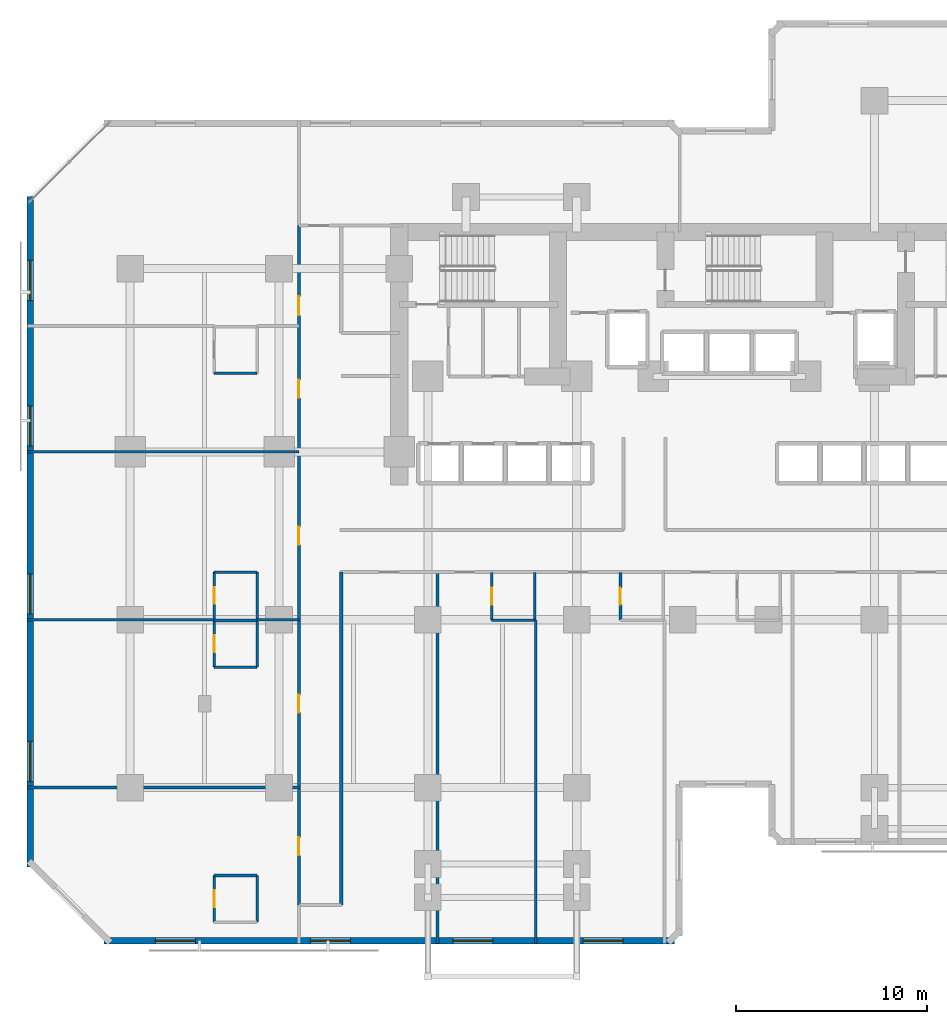
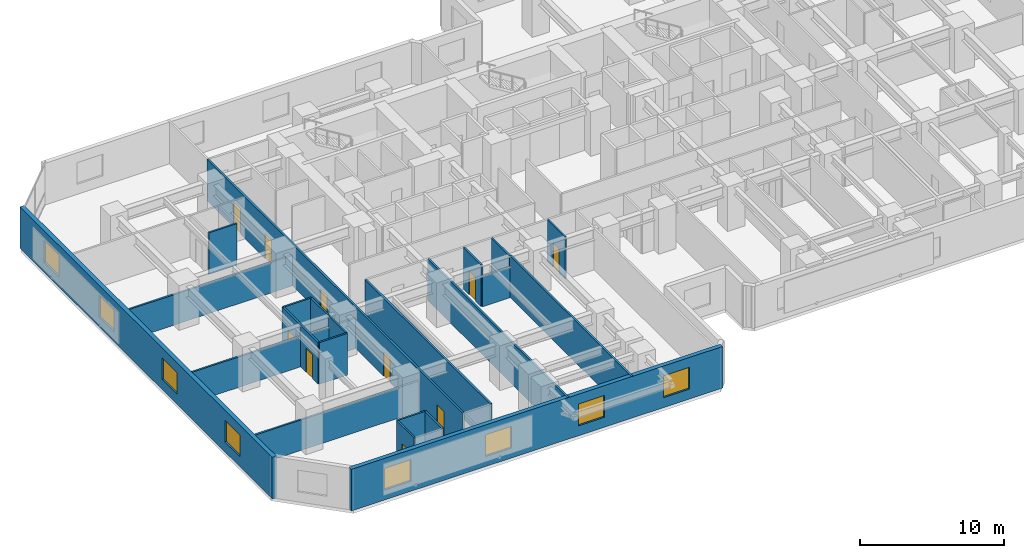
# One storey, part 5 of 12: 25 walls, 10 doors, 8 windows, 18 openings.
"""IFC4 building model written with IfcOpenShell, lengths in metres."""

from ifc_helpers import new_model, si_unit, direction, frame, frame_2d, origin, place, context, subcontext, project, spatial, rectangle, extrude, material, layer, layer_set, type_object, element, fill, save


model = new_model("IFC4")

# Units and contexts
model_context = context("Model", 3, precision=1e-05, world=origin(), true_north=direction((0.0, 1.0)))
body_context = subcontext(model_context, "Body", "Model", "MODEL_VIEW")
ifc_project = project(units=[si_unit("LENGTHUNIT", "METRE"), si_unit("AREAUNIT", "SQUARE_METRE"), si_unit("VOLUMEUNIT", "CUBIC_METRE"), si_unit("PLANEANGLEUNIT", "RADIAN"), si_unit("MASSUNIT", "GRAM", prefix="KILO")], contexts=[model_context])

# Site, building, storey
site_placement = place(None, origin())
site = spatial("IfcSite", under=ifc_project, at=site_placement, CompositionType="ELEMENT")
building_placement = place(site_placement, origin())
building = spatial("IfcBuilding", under=site, at=building_placement, Name="Kestravale Grand Hotel", CompositionType="ELEMENT")
storey_placement = place(building_placement, frame((0.0, 0.0, 26.0)))
storey = spatial("IfcBuildingStorey", under=building, at=storey_placement, Name="L05", CompositionType="ELEMENT", Elevation=26.0)

# Wall, openings, windows
ifc_material_1 = material(Name="Precast concrete f'c 45 MPa", Category="concrete")
ifc_layer_1 = layer(ifc_material_1, 0.340087890625)
ifc_layer_set_1 = layer_set([ifc_layer_1], Name="EW-PREC-340")
wall_type_1 = type_object("IfcWallType", Name="EW-PREC-340", PredefinedType="SOLIDWALL", material=ifc_layer_set_1)
wall_1_placement = place(storey_placement, frame((6.429931640625, 3.169921875, 0.0), z_axis=(0.0, 0.0, 1.0), x_axis=(1.0, 0.0, 0.0)))
wall_1 = element("IfcWall", 1, at=wall_1_placement, inside=storey, type_object=wall_type_1, Name="L05 fluted precast facade wall 1", PredefinedType="SOLIDWALL", context=body_context, shape_type="SweptSolid", body=[
    extrude(rectangle(XDim=29.89013671875, YDim=0.340087890625, at=frame_2d((14.945068359375, 0.0))), origin(), (0.0, 0.0, 1.0), 3.5400390625),
])
opening_1_placement = place(wall_1_placement, frame((2.686279296875, 0.0, 0.85009765625)))
opening_1 = element("IfcOpeningElement", 2, at=opening_1_placement, cuts=wall_1, Name="Opening W-GUEST-2100", PredefinedType="OPENING", context=body_context, shape_type="SweptSolid", body=[
    extrude(rectangle(XDim=2.10009765625, YDim=1.85009765625, at=frame_2d((1.050048828125, 0.925048828125))), frame((0.0, 0.179931640625, 0.0), z_axis=(0.0, -1.0, 0.0), x_axis=(1.0, 0.0, 0.0)), (0.0, 0.0, 1.0), 0.360107421875),
])
opening_2_placement = place(wall_1_placement, frame((10.80859375, 0.0, 0.85009765625)))
opening_2 = element("IfcOpeningElement", 3, at=opening_2_placement, cuts=wall_1, Name="Opening W-GUEST-2100", PredefinedType="OPENING", context=body_context, shape_type="SweptSolid", body=[
    extrude(rectangle(XDim=2.10009765625, YDim=1.85009765625, at=frame_2d((1.050048828125, 0.925048828125))), frame((0.0, 0.179931640625, 0.0), z_axis=(0.0, -1.0, 0.0), x_axis=(1.0, 0.0, 0.0)), (0.0, 0.0, 1.0), 0.360107421875),
])
opening_3_placement = place(wall_1_placement, frame((18.28125, 0.0, 0.85009765625)))
opening_3 = element("IfcOpeningElement", 4, at=opening_3_placement, cuts=wall_1, Name="Opening W-GUEST-2100", PredefinedType="OPENING", context=body_context, shape_type="SweptSolid", body=[
    extrude(rectangle(XDim=2.10009765625, YDim=1.85009765625, at=frame_2d((1.050048828125, 0.925048828125))), frame((0.0, 0.179931640625, 0.0), z_axis=(0.0, -1.0, 0.0), x_axis=(1.0, 0.0, 0.0)), (0.0, 0.0, 1.0), 0.360107421875),
])
opening_4_placement = place(wall_1_placement, frame((25.103759765625, 0.0, 0.85009765625)))
opening_4 = element("IfcOpeningElement", 5, at=opening_4_placement, cuts=wall_1, Name="Opening W-GUEST-2100", PredefinedType="OPENING", context=body_context, shape_type="SweptSolid", body=[
    extrude(rectangle(XDim=2.10009765625, YDim=1.85009765625, at=frame_2d((1.050048828125, 0.925048828125))), frame((0.0, 0.179931640625, 0.0), z_axis=(0.0, -1.0, 0.0), x_axis=(1.0, 0.0, 0.0)), (0.0, 0.0, 1.0), 0.360107421875),
])
ifc_material_2 = material(Name="Insulated low-E double glazing in aluminium frame", Category="aluminium")
window_type = type_object("IfcWindowType", Name="W-GUEST-2100", PartitioningType="DOUBLE_PANEL_VERTICAL", PredefinedType="WINDOW", material=ifc_material_2)
window_1_placement = place(opening_1_placement, origin())
window_1 = element("IfcWindow", 6, at=window_1_placement, inside=storey, type_object=window_type, Name="L05 exterior window 1.1", OverallHeight=1.85009765625, OverallWidth=2.10009765625, PartitioningType="SINGLE_PANEL", PredefinedType="WINDOW", context=body_context, shape_type="SweptSolid", body=[
    extrude(rectangle(XDim=2.10009765625, YDim=1.85009765625, at=frame_2d((1.050048828125, 0.925048828125))), frame((0.0, 0.030029296875, 0.0), z_axis=(0.0, -1.0, 0.0), x_axis=(1.0, 0.0, 0.0)), (0.0, 0.0, 1.0), 0.06005859375),
])
fill(opening_1, window_1)
window_2_placement = place(opening_2_placement, origin())
window_2 = element("IfcWindow", 7, at=window_2_placement, inside=storey, type_object=window_type, Name="L05 exterior window 1.2", OverallHeight=1.85009765625, OverallWidth=2.10009765625, PartitioningType="SINGLE_PANEL", PredefinedType="WINDOW", context=body_context, shape_type="SweptSolid", body=[
    extrude(rectangle(XDim=2.10009765625, YDim=1.85009765625, at=frame_2d((1.050048828125, 0.925048828125))), frame((0.0, 0.030029296875, 0.0), z_axis=(0.0, -1.0, 0.0), x_axis=(1.0, 0.0, 0.0)), (0.0, 0.0, 1.0), 0.06005859375),
])
fill(opening_2, window_2)
window_3_placement = place(opening_3_placement, origin())
window_3 = element("IfcWindow", 8, at=window_3_placement, inside=storey, type_object=window_type, Name="L05 exterior window 1.3", OverallHeight=1.85009765625, OverallWidth=2.10009765625, PartitioningType="SINGLE_PANEL", PredefinedType="WINDOW", context=body_context, shape_type="SweptSolid", body=[
    extrude(rectangle(XDim=2.10009765625, YDim=1.85009765625, at=frame_2d((1.050048828125, 0.925048828125))), frame((0.0, 0.030029296875, 0.0), z_axis=(0.0, -1.0, 0.0), x_axis=(1.0, 0.0, 0.0)), (0.0, 0.0, 1.0), 0.06005859375),
])
fill(opening_3, window_3)
window_4_placement = place(opening_4_placement, origin())
window_4 = element("IfcWindow", 9, at=window_4_placement, inside=storey, type_object=window_type, Name="L05 exterior window 1.4", OverallHeight=1.85009765625, OverallWidth=2.10009765625, PartitioningType="SINGLE_PANEL", PredefinedType="WINDOW", context=body_context, shape_type="SweptSolid", body=[
    extrude(rectangle(XDim=2.10009765625, YDim=1.85009765625, at=frame_2d((1.050048828125, 0.925048828125))), frame((0.0, 0.030029296875, 0.0), z_axis=(0.0, -1.0, 0.0), x_axis=(1.0, 0.0, 0.0)), (0.0, 0.0, 1.0), 0.06005859375),
])
fill(opening_4, window_4)

wall_2_placement = place(storey_placement, frame((2.570068359375, 42.169921875, 0.0), z_axis=(0.0, 0.0, 1.0), x_axis=(0.0, -1.0, 0.0)))
wall_2 = element("IfcWall", 10, at=wall_2_placement, inside=storey, type_object=wall_type_1, Name="L05 fluted precast facade wall 19", PredefinedType="SOLIDWALL", context=body_context, shape_type="SweptSolid", body=[
    extrude(rectangle(XDim=35.139892578125, YDim=0.340087890625, at=frame_2d((17.56982421875, 0.0))), origin(), (0.0, 0.0, 1.0), 3.5400390625),
])
opening_5_placement = place(wall_2_placement, frame((3.342529296875, 0.0, 0.85009765625)))
opening_5 = element("IfcOpeningElement", 11, at=opening_5_placement, cuts=wall_2, Name="Opening W-GUEST-2100", PredefinedType="OPENING", context=body_context, shape_type="SweptSolid", body=[
    extrude(rectangle(XDim=2.10009765625, YDim=1.85009765625, at=frame_2d((1.050048828125, 0.925048828125))), frame((0.0, 0.179931640625, 0.0), z_axis=(0.0, -1.0, 0.0), x_axis=(1.0, 0.0, 0.0)), (0.0, 0.0, 1.0), 0.360107421875),
])
opening_6_placement = place(wall_2_placement, frame((10.9775390625, 0.0, 0.85009765625)))
opening_6 = element("IfcOpeningElement", 12, at=opening_6_placement, cuts=wall_2, Name="Opening W-GUEST-2100", PredefinedType="OPENING", context=body_context, shape_type="SweptSolid", body=[
    extrude(rectangle(XDim=2.10009765625, YDim=1.85009765625, at=frame_2d((1.050048828125, 0.925048828125))), frame((0.0, 0.179931640625, 0.0), z_axis=(0.0, -1.0, 0.0), x_axis=(1.0, 0.0, 0.0)), (0.0, 0.0, 1.0), 0.360107421875),
])
opening_7_placement = place(wall_2_placement, frame((19.762451171875, 0.0, 0.85009765625)))
opening_7 = element("IfcOpeningElement", 13, at=opening_7_placement, cuts=wall_2, Name="Opening W-GUEST-2100", PredefinedType="OPENING", context=body_context, shape_type="SweptSolid", body=[
    extrude(rectangle(XDim=2.10009765625, YDim=1.85009765625, at=frame_2d((1.050048828125, 0.925048828125))), frame((0.0, 0.179931640625, 0.0), z_axis=(0.0, -1.0, 0.0), x_axis=(1.0, 0.0, 0.0)), (0.0, 0.0, 1.0), 0.360107421875),
])
opening_8_placement = place(wall_2_placement, frame((28.547607421875, 0.0, 0.85009765625)))
opening_8 = element("IfcOpeningElement", 14, at=opening_8_placement, cuts=wall_2, Name="Opening W-GUEST-2100", PredefinedType="OPENING", context=body_context, shape_type="SweptSolid", body=[
    extrude(rectangle(XDim=2.10009765625, YDim=1.85009765625, at=frame_2d((1.050048828125, 0.925048828125))), frame((0.0, 0.179931640625, 0.0), z_axis=(0.0, -1.0, 0.0), x_axis=(1.0, 0.0, 0.0)), (0.0, 0.0, 1.0), 0.360107421875),
])
window_5_placement = place(opening_5_placement, origin())
window_5 = element("IfcWindow", 15, at=window_5_placement, inside=storey, type_object=window_type, Name="L05 exterior window 19.1", OverallHeight=1.85009765625, OverallWidth=2.10009765625, PartitioningType="SINGLE_PANEL", PredefinedType="WINDOW", context=body_context, shape_type="SweptSolid", body=[
    extrude(rectangle(XDim=2.10009765625, YDim=1.85009765625, at=frame_2d((1.050048828125, 0.925048828125))), frame((0.0, 0.030029296875, 0.0), z_axis=(0.0, -1.0, 0.0), x_axis=(1.0, 0.0, 0.0)), (0.0, 0.0, 1.0), 0.06005859375),
])
fill(opening_5, window_5)
window_6_placement = place(opening_6_placement, origin())
window_6 = element("IfcWindow", 16, at=window_6_placement, inside=storey, type_object=window_type, Name="L05 exterior window 19.2", OverallHeight=1.85009765625, OverallWidth=2.10009765625, PartitioningType="SINGLE_PANEL", PredefinedType="WINDOW", context=body_context, shape_type="SweptSolid", body=[
    extrude(rectangle(XDim=2.10009765625, YDim=1.85009765625, at=frame_2d((1.050048828125, 0.925048828125))), frame((0.0, 0.030029296875, 0.0), z_axis=(0.0, -1.0, 0.0), x_axis=(1.0, 0.0, 0.0)), (0.0, 0.0, 1.0), 0.06005859375),
])
fill(opening_6, window_6)
window_7_placement = place(opening_7_placement, origin())
window_7 = element("IfcWindow", 17, at=window_7_placement, inside=storey, type_object=window_type, Name="L05 exterior window 19.3", OverallHeight=1.85009765625, OverallWidth=2.10009765625, PartitioningType="SINGLE_PANEL", PredefinedType="WINDOW", context=body_context, shape_type="SweptSolid", body=[
    extrude(rectangle(XDim=2.10009765625, YDim=1.85009765625, at=frame_2d((1.050048828125, 0.925048828125))), frame((0.0, 0.030029296875, 0.0), z_axis=(0.0, -1.0, 0.0), x_axis=(1.0, 0.0, 0.0)), (0.0, 0.0, 1.0), 0.06005859375),
])
fill(opening_7, window_7)
window_8_placement = place(opening_8_placement, origin())
window_8 = element("IfcWindow", 18, at=window_8_placement, inside=storey, type_object=window_type, Name="L05 exterior window 19.4", OverallHeight=1.85009765625, OverallWidth=2.10009765625, PartitioningType="SINGLE_PANEL", PredefinedType="WINDOW", context=body_context, shape_type="SweptSolid", body=[
    extrude(rectangle(XDim=2.10009765625, YDim=1.85009765625, at=frame_2d((1.050048828125, 0.925048828125))), frame((0.0, 0.030029296875, 0.0), z_axis=(0.0, -1.0, 0.0), x_axis=(1.0, 0.0, 0.0)), (0.0, 0.0, 1.0), 0.06005859375),
])
fill(opening_8, window_8)

# Wall, openings, doors
ifc_material_3 = material(Name="Acoustic fire-rated gypsum board partition", Category="other")
ifc_layer_2 = layer(ifc_material_3, 0.159912109375)
ifc_layer_set_2 = layer_set([ifc_layer_2], Name="IW-CORR-160")
wall_type_2 = type_object("IfcWallType", Name="IW-CORR-160", PredefinedType="PARTITIONING", material=ifc_layer_set_2)
wall_3_placement = place(storey_placement, frame((16.639892578125, 5.050048828125, 0.0), z_axis=(0.0, 0.0, 1.0), x_axis=(0.0, 1.0, 0.0)))
wall_3 = element("IfcWall", 19, at=wall_3_placement, inside=storey, type_object=wall_type_2, Name="W-L05-SW-W", PredefinedType="PARTITIONING", context=body_context, shape_type="SweptSolid", body=[
    extrude(rectangle(XDim=35.599853515625, YDim=0.159912109375, at=frame_2d((17.7998046875, 0.0))), origin(), (0.0, 0.0, 1.0), 3.5400390625),
])
opening_9_placement = place(wall_3_placement, frame((2.60009765625, 0.0, 0.0)))
opening_9 = element("IfcOpeningElement", 20, at=opening_9_placement, cuts=wall_3, Name="Opening D-GUEST-950", PredefinedType="OPENING", context=body_context, shape_type="SweptSolid", body=[
    extrude(rectangle(XDim=0.949951171875, YDim=2.10009765625, at=frame_2d((0.47509765625, 1.050048828125))), frame((0.0, 0.08984375, 0.0), z_axis=(0.0, -1.0, 0.0), x_axis=(1.0, 0.0, 0.0)), (0.0, 0.0, 1.0), 0.179931640625),
])
opening_10_placement = place(wall_3_placement, frame((10.074951171875, 0.0, 0.0)))
opening_10 = element("IfcOpeningElement", 21, at=opening_10_placement, cuts=wall_3, Name="Opening D-GUEST-950", PredefinedType="OPENING", context=body_context, shape_type="SweptSolid", body=[
    extrude(rectangle(XDim=0.949951171875, YDim=2.10009765625, at=frame_2d((0.47509765625, 1.050048828125))), frame((0.0, 0.08984375, 0.0), z_axis=(0.0, -1.0, 0.0), x_axis=(1.0, 0.0, 0.0)), (0.0, 0.0, 1.0), 0.179931640625),
])
opening_11_placement = place(wall_3_placement, frame((18.875, 0.0, 0.0)))
opening_11 = element("IfcOpeningElement", 22, at=opening_11_placement, cuts=wall_3, Name="Opening D-GUEST-950", PredefinedType="OPENING", context=body_context, shape_type="SweptSolid", body=[
    extrude(rectangle(XDim=0.949951171875, YDim=2.10009765625, at=frame_2d((0.47509765625, 1.050048828125))), frame((0.0, 0.08984375, 0.0), z_axis=(0.0, -1.0, 0.0), x_axis=(1.0, 0.0, 0.0)), (0.0, 0.0, 1.0), 0.179931640625),
])
opening_12_placement = place(wall_3_placement, frame((26.574951171875, 0.0, 0.0)))
opening_12 = element("IfcOpeningElement", 23, at=opening_12_placement, cuts=wall_3, Name="Opening D-GUEST-950", PredefinedType="OPENING", context=body_context, shape_type="SweptSolid", body=[
    extrude(rectangle(XDim=0.949951171875, YDim=2.10009765625, at=frame_2d((0.47509765625, 1.050048828125))), frame((0.0, 0.08984375, 0.0), z_axis=(0.0, -1.0, 0.0), x_axis=(1.0, 0.0, 0.0)), (0.0, 0.0, 1.0), 0.179931640625),
])
opening_13_placement = place(wall_3_placement, frame((30.89990234375, 0.0, 0.0)))
opening_13 = element("IfcOpeningElement", 24, at=opening_13_placement, cuts=wall_3, Name="Opening D-GUEST-1000", PredefinedType="OPENING", context=body_context, shape_type="SweptSolid", body=[
    extrude(rectangle(XDim=1.0, YDim=2.14990234375, at=frame_2d((0.5, 1.074951171875))), frame((0.0, 0.08984375, 0.0), z_axis=(0.0, -1.0, 0.0), x_axis=(1.0, 0.0, 0.0)), (0.0, 0.0, 1.0), 0.179931640625),
])
ifc_material_4 = material(Name="Accessible walnut veneer hotel entrance fire door", Category="wood")
door_type_1 = type_object("IfcDoorType", Name="D-GUEST-1000", OperationType="NOTDEFINED", PredefinedType="DOOR", material=ifc_material_4)
door_1_placement = place(opening_13_placement, origin())
door_1 = element("IfcDoor", 25, at=door_1_placement, inside=storey, type_object=door_type_1, Name="D-L05-AMWW", OperationType="SINGLE_SWING_LEFT", OverallHeight=2.14990234375, OverallWidth=1.0, PredefinedType="DOOR", context=body_context, shape_type="SweptSolid", body=[
    extrude(rectangle(XDim=1.0, YDim=2.14990234375, at=frame_2d((0.5, 1.074951171875))), frame((0.0, 0.02490234375, 0.0), z_axis=(0.0, -1.0, 0.0), x_axis=(1.0, 0.0, 0.0)), (0.0, 0.0, 1.0), 0.050048828125),
])
fill(opening_13, door_1)
ifc_material_5 = material(Name="Walnut veneer hotel guestroom entrance fire door", Category="wood")
door_type_2 = type_object("IfcDoorType", Name="D-GUEST-950", OperationType="NOTDEFINED", PredefinedType="DOOR", material=ifc_material_5)
door_2_placement = place(opening_9_placement, origin())
door_2 = element("IfcDoor", 26, at=door_2_placement, inside=storey, type_object=door_type_2, Name="D-L05-U06-ENT", OperationType="SINGLE_SWING_RIGHT", OverallHeight=2.10009765625, OverallWidth=0.949951171875, PredefinedType="DOOR", context=body_context, shape_type="SweptSolid", body=[
    extrude(rectangle(XDim=0.949951171875, YDim=2.10009765625, at=frame_2d((0.47509765625, 1.050048828125))), frame((0.0, 0.02490234375, 0.0), z_axis=(0.0, -1.0, 0.0), x_axis=(1.0, 0.0, 0.0)), (0.0, 0.0, 1.0), 0.050048828125),
])
fill(opening_9, door_2)
door_3_placement = place(opening_10_placement, origin())
door_3 = element("IfcDoor", 27, at=door_3_placement, inside=storey, type_object=door_type_2, Name="D-L05-U07-ENT", OperationType="SINGLE_SWING_RIGHT", OverallHeight=2.10009765625, OverallWidth=0.949951171875, PredefinedType="DOOR", context=body_context, shape_type="SweptSolid", body=[
    extrude(rectangle(XDim=0.949951171875, YDim=2.10009765625, at=frame_2d((0.47509765625, 1.050048828125))), frame((0.0, 0.02490234375, 0.0), z_axis=(0.0, -1.0, 0.0), x_axis=(1.0, 0.0, 0.0)), (0.0, 0.0, 1.0), 0.050048828125),
])
fill(opening_10, door_3)
door_4_placement = place(opening_11_placement, origin())
door_4 = element("IfcDoor", 28, at=door_4_placement, inside=storey, type_object=door_type_2, Name="D-L05-U08-ENT", OperationType="SINGLE_SWING_RIGHT", OverallHeight=2.10009765625, OverallWidth=0.949951171875, PredefinedType="DOOR", context=body_context, shape_type="SweptSolid", body=[
    extrude(rectangle(XDim=0.949951171875, YDim=2.10009765625, at=frame_2d((0.47509765625, 1.050048828125))), frame((0.0, 0.02490234375, 0.0), z_axis=(0.0, -1.0, 0.0), x_axis=(1.0, 0.0, 0.0)), (0.0, 0.0, 1.0), 0.050048828125),
])
fill(opening_11, door_4)
door_5_placement = place(opening_12_placement, origin())
door_5 = element("IfcDoor", 29, at=door_5_placement, inside=storey, type_object=door_type_2, Name="D-L05-U09-ENT", OperationType="SINGLE_SWING_RIGHT", OverallHeight=2.10009765625, OverallWidth=0.949951171875, PredefinedType="DOOR", context=body_context, shape_type="SweptSolid", body=[
    extrude(rectangle(XDim=0.949951171875, YDim=2.10009765625, at=frame_2d((0.47509765625, 1.050048828125))), frame((0.0, 0.02490234375, 0.0), z_axis=(0.0, -1.0, 0.0), x_axis=(1.0, 0.0, 0.0)), (0.0, 0.0, 1.0), 0.050048828125),
])
fill(opening_12, door_5)

# Wall
wall_4_placement = place(storey_placement, frame((18.860107421875, 5.050048828125, 0.0), z_axis=(0.0, 0.0, 1.0), x_axis=(0.0, 1.0, 0.0)))
element("IfcWall", 30, at=wall_4_placement, inside=storey, type_object=wall_type_2, Name="W-L05-SW-E", PredefinedType="PARTITIONING", context=body_context, shape_type="SweptSolid", body=[
    extrude(rectangle(XDim=17.43994140625, YDim=0.159912109375, at=frame_2d((8.719970703125, 0.0))), origin(), (0.0, 0.0, 1.0), 3.5400390625),
])

# Wall, opening, door
ifc_material_6 = material(Name="Moisture-resistant tile-backer plumbing chase wall", Category="other")
ifc_layer_3 = layer(ifc_material_6, 0.139892578125)
ifc_layer_set_3 = layer_set([ifc_layer_3], Name="IW-PLB-140")
wall_type_3 = type_object("IfcWallType", Name="IW-PLB-140", PredefinedType="PLUMBINGWALL", material=ifc_layer_set_3)
wall_5_placement = place(storey_placement, frame((26.743408203125, 19.97998046875, 0.0), z_axis=(0.0, 0.0, 1.0), x_axis=(0.0, 1.0, 0.0)))
wall_5 = element("IfcWall", 31, at=wall_5_placement, inside=storey, type_object=wall_type_3, Name="W-L05-U01-BW", PredefinedType="PLUMBINGWALL", context=body_context, shape_type="SweptSolid", body=[
    extrude(rectangle(XDim=2.489990234375, YDim=0.139892578125, at=frame_2d((1.2451171875, 0.0))), origin(), (0.0, 0.0, 1.0), 3.5400390625),
])
opening_14_placement = place(wall_5_placement, frame((0.804931640625, 0.0, 0.0)))
opening_14 = element("IfcOpeningElement", 32, at=opening_14_placement, cuts=wall_5, Name="Opening D-BATH-880", PredefinedType="OPENING", context=body_context, shape_type="SweptSolid", body=[
    extrude(rectangle(XDim=0.8798828125, YDim=2.050048828125, at=frame_2d((0.43994140625, 1.02490234375))), frame((0.0, 0.079833984375, 0.0), z_axis=(0.0, -1.0, 0.0), x_axis=(1.0, 0.0, 0.0)), (0.0, 0.0, 1.0), 0.159912109375),
])
ifc_material_7 = material(Name="Moisture-sealed walnut en-suite bathroom door", Category="wood")
door_type_3 = type_object("IfcDoorType", Name="D-BATH-880", OperationType="NOTDEFINED", PredefinedType="DOOR", material=ifc_material_7)
door_6_placement = place(opening_14_placement, origin())
door_6 = element("IfcDoor", 33, at=door_6_placement, inside=storey, type_object=door_type_3, Name="D-L05-U01-BATH", OperationType="SINGLE_SWING_RIGHT", OverallHeight=2.050048828125, OverallWidth=0.8798828125, PredefinedType="DOOR", context=body_context, shape_type="SweptSolid", body=[
    extrude(rectangle(XDim=0.8798828125, YDim=2.050048828125, at=frame_2d((0.43994140625, 1.02490234375))), frame((0.0, 0.02490234375, 0.0), z_axis=(0.0, -1.0, 0.0), x_axis=(1.0, 0.0, 0.0)), (0.0, 0.0, 1.0), 0.050048828125),
])
fill(opening_14, door_6)

# Walls
wall_6_placement = place(storey_placement, frame((28.993408203125, 19.97998046875, 0.0), z_axis=(0.0, 0.0, 1.0), x_axis=(0.0, 1.0, 0.0)))
element("IfcWall", 34, at=wall_6_placement, inside=storey, type_object=wall_type_3, Name="W-L05-U01-BE", PredefinedType="PLUMBINGWALL", context=body_context, shape_type="SweptSolid", body=[
    extrude(rectangle(XDim=2.489990234375, YDim=0.139892578125, at=frame_2d((1.2451171875, 0.0))), origin(), (0.0, 0.0, 1.0), 3.5400390625),
])
wall_7_placement = place(storey_placement, frame((26.743408203125, 19.97998046875, 0.0), z_axis=(0.0, 0.0, 1.0), x_axis=(1.0, 0.0, 0.0)))
element("IfcWall", 35, at=wall_7_placement, inside=storey, type_object=wall_type_3, Name="W-L05-U01-BS", PredefinedType="PLUMBINGWALL", context=body_context, shape_type="SweptSolid", body=[
    extrude(rectangle(XDim=2.25, YDim=0.139892578125, at=frame_2d((1.125, 0.0))), origin(), (0.0, 0.0, 1.0), 2.593017578125),
])

# Wall, opening, door
wall_8_placement = place(storey_placement, frame((33.489990234375, 19.97998046875, 0.0), z_axis=(0.0, 0.0, 1.0), x_axis=(0.0, 1.0, 0.0)))
wall_8 = element("IfcWall", 36, at=wall_8_placement, inside=storey, type_object=wall_type_3, Name="W-L05-U02-BW", PredefinedType="PLUMBINGWALL", context=body_context, shape_type="SweptSolid", body=[
    extrude(rectangle(XDim=2.489990234375, YDim=0.139892578125, at=frame_2d((1.2451171875, 0.0))), origin(), (0.0, 0.0, 1.0), 3.5400390625),
])
opening_15_placement = place(wall_8_placement, frame((0.804931640625, 0.0, 0.0)))
opening_15 = element("IfcOpeningElement", 37, at=opening_15_placement, cuts=wall_8, Name="Opening D-BATH-880", PredefinedType="OPENING", context=body_context, shape_type="SweptSolid", body=[
    extrude(rectangle(XDim=0.8798828125, YDim=2.050048828125, at=frame_2d((0.43994140625, 1.02490234375))), frame((0.0, 0.079833984375, 0.0), z_axis=(0.0, -1.0, 0.0), x_axis=(1.0, 0.0, 0.0)), (0.0, 0.0, 1.0), 0.159912109375),
])
door_7_placement = place(opening_15_placement, origin())
door_7 = element("IfcDoor", 38, at=door_7_placement, inside=storey, type_object=door_type_3, Name="D-L05-U02-BATH", OperationType="SINGLE_SWING_RIGHT", OverallHeight=2.050048828125, OverallWidth=0.8798828125, PredefinedType="DOOR", context=body_context, shape_type="SweptSolid", body=[
    extrude(rectangle(XDim=0.8798828125, YDim=2.050048828125, at=frame_2d((0.43994140625, 1.02490234375))), frame((0.0, 0.02490234375, 0.0), z_axis=(0.0, -1.0, 0.0), x_axis=(1.0, 0.0, 0.0)), (0.0, 0.0, 1.0), 0.050048828125),
])
fill(opening_15, door_7)

wall_9_placement = place(storey_placement, frame((12.199951171875, 4.14990234375, 0.0), z_axis=(0.0, 0.0, 1.0), x_axis=(0.0, 1.0, 0.0)))
wall_9 = element("IfcWall", 39, at=wall_9_placement, inside=storey, type_object=wall_type_3, Name="W-L05-U06-BW", PredefinedType="PLUMBINGWALL", context=body_context, shape_type="SweptSolid", body=[
    extrude(rectangle(XDim=2.4501953125, YDim=0.139892578125, at=frame_2d((1.22509765625, 0.0))), origin(), (0.0, 0.0, 1.0), 3.5400390625),
])
opening_16_placement = place(wall_9_placement, frame((0.784912109375, 0.0, 0.0)))
opening_16 = element("IfcOpeningElement", 40, at=opening_16_placement, cuts=wall_9, Name="Opening D-BATH-880", PredefinedType="OPENING", context=body_context, shape_type="SweptSolid", body=[
    extrude(rectangle(XDim=0.8798828125, YDim=2.050048828125, at=frame_2d((0.43994140625, 1.02490234375))), frame((0.0, 0.079833984375, 0.0), z_axis=(0.0, -1.0, 0.0), x_axis=(1.0, 0.0, 0.0)), (0.0, 0.0, 1.0), 0.159912109375),
])
door_8_placement = place(opening_16_placement, origin())
door_8 = element("IfcDoor", 41, at=door_8_placement, inside=storey, type_object=door_type_3, Name="D-L05-U06-BATH", OperationType="SINGLE_SWING_LEFT", OverallHeight=2.050048828125, OverallWidth=0.8798828125, PredefinedType="DOOR", context=body_context, shape_type="SweptSolid", body=[
    extrude(rectangle(XDim=0.8798828125, YDim=2.050048828125, at=frame_2d((0.43994140625, 1.02490234375))), frame((0.0, 0.02490234375, 0.0), z_axis=(0.0, -1.0, 0.0), x_axis=(1.0, 0.0, 0.0)), (0.0, 0.0, 1.0), 0.050048828125),
])
fill(opening_16, door_8)

# Walls
wall_10_placement = place(storey_placement, frame((14.449951171875, 4.14990234375, 0.0), z_axis=(0.0, 0.0, 1.0), x_axis=(0.0, 1.0, 0.0)))
element("IfcWall", 42, at=wall_10_placement, inside=storey, type_object=wall_type_3, Name="W-L05-U06-BE", PredefinedType="PLUMBINGWALL", context=body_context, shape_type="SweptSolid", body=[
    extrude(rectangle(XDim=2.4501953125, YDim=0.139892578125, at=frame_2d((1.22509765625, 0.0))), origin(), (0.0, 0.0, 1.0), 3.5400390625),
])
wall_11_placement = place(storey_placement, frame((12.199951171875, 6.60009765625, 0.0), z_axis=(0.0, 0.0, 1.0), x_axis=(1.0, 0.0, 0.0)))
element("IfcWall", 43, at=wall_11_placement, inside=storey, type_object=wall_type_3, Name="W-L05-U06-BN", PredefinedType="PLUMBINGWALL", context=body_context, shape_type="SweptSolid", body=[
    extrude(rectangle(XDim=2.25, YDim=0.139892578125, at=frame_2d((1.125, 0.0))), origin(), (0.0, 0.0, 1.0), 3.5400390625),
])

# Wall, opening, door
wall_12_placement = place(storey_placement, frame((12.199951171875, 17.510009765625, 0.0), z_axis=(0.0, 0.0, 1.0), x_axis=(0.0, 1.0, 0.0)))
wall_12 = element("IfcWall", 44, at=wall_12_placement, inside=storey, type_object=wall_type_3, Name="W-L05-U07-BW", PredefinedType="PLUMBINGWALL", context=body_context, shape_type="SweptSolid", body=[
    extrude(rectangle(XDim=2.449951171875, YDim=0.139892578125, at=frame_2d((1.22509765625, 0.0))), origin(), (0.0, 0.0, 1.0), 3.5400390625),
])
opening_17_placement = place(wall_12_placement, frame((0.784912109375, 0.0, 0.0)))
opening_17 = element("IfcOpeningElement", 45, at=opening_17_placement, cuts=wall_12, Name="Opening D-BATH-880", PredefinedType="OPENING", context=body_context, shape_type="SweptSolid", body=[
    extrude(rectangle(XDim=0.8798828125, YDim=2.050048828125, at=frame_2d((0.43994140625, 1.02490234375))), frame((0.0, 0.079833984375, 0.0), z_axis=(0.0, -1.0, 0.0), x_axis=(1.0, 0.0, 0.0)), (0.0, 0.0, 1.0), 0.159912109375),
])
door_9_placement = place(opening_17_placement, origin())
door_9 = element("IfcDoor", 46, at=door_9_placement, inside=storey, type_object=door_type_3, Name="D-L05-U07-BATH", OperationType="SINGLE_SWING_LEFT", OverallHeight=2.050048828125, OverallWidth=0.8798828125, PredefinedType="DOOR", context=body_context, shape_type="SweptSolid", body=[
    extrude(rectangle(XDim=0.8798828125, YDim=2.050048828125, at=frame_2d((0.43994140625, 1.02490234375))), frame((0.0, 0.02490234375, 0.0), z_axis=(0.0, -1.0, 0.0), x_axis=(1.0, 0.0, 0.0)), (0.0, 0.0, 1.0), 0.050048828125),
])
fill(opening_17, door_9)

# Walls
wall_13_placement = place(storey_placement, frame((14.449951171875, 17.510009765625, 0.0), z_axis=(0.0, 0.0, 1.0), x_axis=(0.0, 1.0, 0.0)))
element("IfcWall", 47, at=wall_13_placement, inside=storey, type_object=wall_type_3, Name="W-L05-U07-BE", PredefinedType="PLUMBINGWALL", context=body_context, shape_type="SweptSolid", body=[
    extrude(rectangle(XDim=2.449951171875, YDim=0.139892578125, at=frame_2d((1.22509765625, 0.0))), origin(), (0.0, 0.0, 1.0), 3.5400390625),
])
wall_14_placement = place(storey_placement, frame((12.199951171875, 17.510009765625, 0.0), z_axis=(0.0, 0.0, 1.0), x_axis=(1.0, 0.0, 0.0)))
element("IfcWall", 48, at=wall_14_placement, inside=storey, type_object=wall_type_3, Name="W-L05-U07-BS", PredefinedType="PLUMBINGWALL", context=body_context, shape_type="SweptSolid", body=[
    extrude(rectangle(XDim=2.25, YDim=0.139892578125, at=frame_2d((1.125, 0.0))), origin(), (0.0, 0.0, 1.0), 3.5400390625),
])
wall_15_placement = place(storey_placement, frame((12.199951171875, 19.9599609375, 0.0), z_axis=(0.0, 0.0, 1.0), x_axis=(1.0, 0.0, 0.0)))
element("IfcWall", 49, at=wall_15_placement, inside=storey, type_object=wall_type_3, Name="W-L05-U07-BN", PredefinedType="PLUMBINGWALL", context=body_context, shape_type="SweptSolid", body=[
    extrude(rectangle(XDim=2.25, YDim=0.139892578125, at=frame_2d((1.125, 0.0))), origin(), (0.0, 0.0, 1.0), 2.593017578125),
])

# Wall, opening, door
wall_16_placement = place(storey_placement, frame((12.199951171875, 20.0400390625, 0.0), z_axis=(0.0, 0.0, 1.0), x_axis=(0.0, 1.0, 0.0)))
wall_16 = element("IfcWall", 50, at=wall_16_placement, inside=storey, type_object=wall_type_3, Name="W-L05-U08-BW", PredefinedType="PLUMBINGWALL", context=body_context, shape_type="SweptSolid", body=[
    extrude(rectangle(XDim=2.449951171875, YDim=0.139892578125, at=frame_2d((1.22509765625, 0.0))), origin(), (0.0, 0.0, 1.0), 3.5400390625),
])
opening_18_placement = place(wall_16_placement, frame((0.784912109375, 0.0, 0.0)))
opening_18 = element("IfcOpeningElement", 51, at=opening_18_placement, cuts=wall_16, Name="Opening D-BATH-880", PredefinedType="OPENING", context=body_context, shape_type="SweptSolid", body=[
    extrude(rectangle(XDim=0.8798828125, YDim=2.050048828125, at=frame_2d((0.43994140625, 1.02490234375))), frame((0.0, 0.079833984375, 0.0), z_axis=(0.0, -1.0, 0.0), x_axis=(1.0, 0.0, 0.0)), (0.0, 0.0, 1.0), 0.159912109375),
])
door_10_placement = place(opening_18_placement, origin())
door_10 = element("IfcDoor", 52, at=door_10_placement, inside=storey, type_object=door_type_3, Name="D-L05-U08-BATH", OperationType="SINGLE_SWING_LEFT", OverallHeight=2.050048828125, OverallWidth=0.8798828125, PredefinedType="DOOR", context=body_context, shape_type="SweptSolid", body=[
    extrude(rectangle(XDim=0.8798828125, YDim=2.050048828125, at=frame_2d((0.43994140625, 1.02490234375))), frame((0.0, 0.02490234375, 0.0), z_axis=(0.0, -1.0, 0.0), x_axis=(1.0, 0.0, 0.0)), (0.0, 0.0, 1.0), 0.050048828125),
])
fill(opening_18, door_10)

# Walls
wall_17_placement = place(storey_placement, frame((14.449951171875, 20.0400390625, 0.0), z_axis=(0.0, 0.0, 1.0), x_axis=(0.0, 1.0, 0.0)))
element("IfcWall", 53, at=wall_17_placement, inside=storey, type_object=wall_type_3, Name="W-L05-U08-BE", PredefinedType="PLUMBINGWALL", context=body_context, shape_type="SweptSolid", body=[
    extrude(rectangle(XDim=2.449951171875, YDim=0.139892578125, at=frame_2d((1.22509765625, 0.0))), origin(), (0.0, 0.0, 1.0), 3.5400390625),
])
for number, where, z_axis, x_axis, name in (
    (54, (12.199951171875, 22.489990234375, 0.0), (0.0, 0.0, 1.0), (1.0, 0.0, 0.0), "W-L05-U08-BN"),
    (55, (12.199951171875, 32.909912109375, 0.0), (0.0, 0.0, 1.0), (1.0, 0.0, 0.0), "W-L05-U09-BS"),
):
    element("IfcWall", number, at=place(storey_placement, frame(where, z_axis=z_axis, x_axis=x_axis)), inside=storey, type_object=wall_type_3, Name=name, PredefinedType="PLUMBINGWALL", context=body_context, shape_type="SweptSolid", body=[
        extrude(rectangle(XDim=2.25, YDim=0.139892578125, at=frame_2d((1.125, 0.0))), origin(), (0.0, 0.0, 1.0), 3.5400390625),
    ])
ifc_material_8 = material(Name="Double-stud STC 52 acoustic demising partition", Category="other")
ifc_layer_4 = layer(ifc_material_8, 0.14990234375)
ifc_layer_set_4 = layer_set([ifc_layer_4], Name="IW-UNIT-150")
wall_type_4 = type_object("IfcWallType", Name="IW-UNIT-150", PredefinedType="PARTITIONING", material=ifc_layer_set_4)
wall_18_placement = place(storey_placement, frame((23.909912109375, 3.02001953125, 0.0), z_axis=(0.0, 0.0, 1.0), x_axis=(0.0, 1.0, 0.0)))
element("IfcWall", 56, at=wall_18_placement, inside=storey, type_object=wall_type_4, Name="W-L05-WS-1", PredefinedType="PARTITIONING", context=body_context, shape_type="SweptSolid", body=[
    extrude(rectangle(XDim=19.469970703125, YDim=0.14990234375, at=frame_2d((9.73486328125, 0.0))), origin(), (0.0, 0.0, 1.0), 3.5400390625),
])
wall_19_placement = place(storey_placement, frame((29.05322265625, 3.02001953125, 0.0), z_axis=(0.0, 0.0, 1.0), x_axis=(0.0, 1.0, 0.0)))
element("IfcWall", 57, at=wall_19_placement, inside=storey, type_object=wall_type_4, Name="W-L05-WS-2", PredefinedType="PARTITIONING", context=body_context, shape_type="SweptSolid", body=[
    extrude(rectangle(XDim=16.9599609375, YDim=0.14990234375, at=frame_2d((8.47998046875, 0.0))), origin(), (0.0, 0.0, 1.0), 3.5400390625),
])
wall_20_placement = place(storey_placement, frame((2.419921875, 11.199951171875, 0.0), z_axis=(0.0, 0.0, 1.0), x_axis=(1.0, 0.0, 0.0)))
element("IfcWall", 58, at=wall_20_placement, inside=storey, type_object=wall_type_4, Name="W-L05-WW-1", PredefinedType="PARTITIONING", context=body_context, shape_type="SweptSolid", body=[
    extrude(rectangle(XDim=14.219970703125, YDim=0.14990234375, at=frame_2d((7.10986328125, 0.0))), origin(), (0.0, 0.0, 1.0), 2.593017578125),
])
wall_21_placement = place(storey_placement, frame((2.419921875, 20.0, 0.0), z_axis=(0.0, 0.0, 1.0), x_axis=(1.0, 0.0, 0.0)))
element("IfcWall", 59, at=wall_21_placement, inside=storey, type_object=wall_type_4, Name="W-L05-WW-2", PredefinedType="PARTITIONING", context=body_context, shape_type="SweptSolid", body=[
    extrude(rectangle(XDim=9.780029296875, YDim=0.14990234375, at=frame_2d((4.89013671875, 0.0))), origin(), (0.0, 0.0, 1.0), 2.593017578125),
])
wall_22_placement = place(storey_placement, frame((14.449951171875, 20.0, 0.0), z_axis=(0.0, 0.0, 1.0), x_axis=(1.0, 0.0, 0.0)))
element("IfcWall", 60, at=wall_22_placement, inside=storey, type_object=wall_type_4, Name="W-L05-WW-2", PredefinedType="PARTITIONING", context=body_context, shape_type="SweptSolid", body=[
    extrude(rectangle(XDim=2.18994140625, YDim=0.14990234375, at=frame_2d((1.094970703125, 0.0))), origin(), (0.0, 0.0, 1.0), 2.593017578125),
])
wall_23_placement = place(storey_placement, frame((2.419921875, 28.800048828125, 0.0), z_axis=(0.0, 0.0, 1.0), x_axis=(1.0, 0.0, 0.0)))
element("IfcWall", 61, at=wall_23_placement, inside=storey, type_object=wall_type_4, Name="W-L05-WW-3", PredefinedType="PARTITIONING", context=body_context, shape_type="SweptSolid", body=[
    extrude(rectangle(XDim=14.219970703125, YDim=0.14990234375, at=frame_2d((7.10986328125, 0.0))), origin(), (0.0, 0.0, 1.0), 2.593017578125),
])

save(model, "model.ifc")
